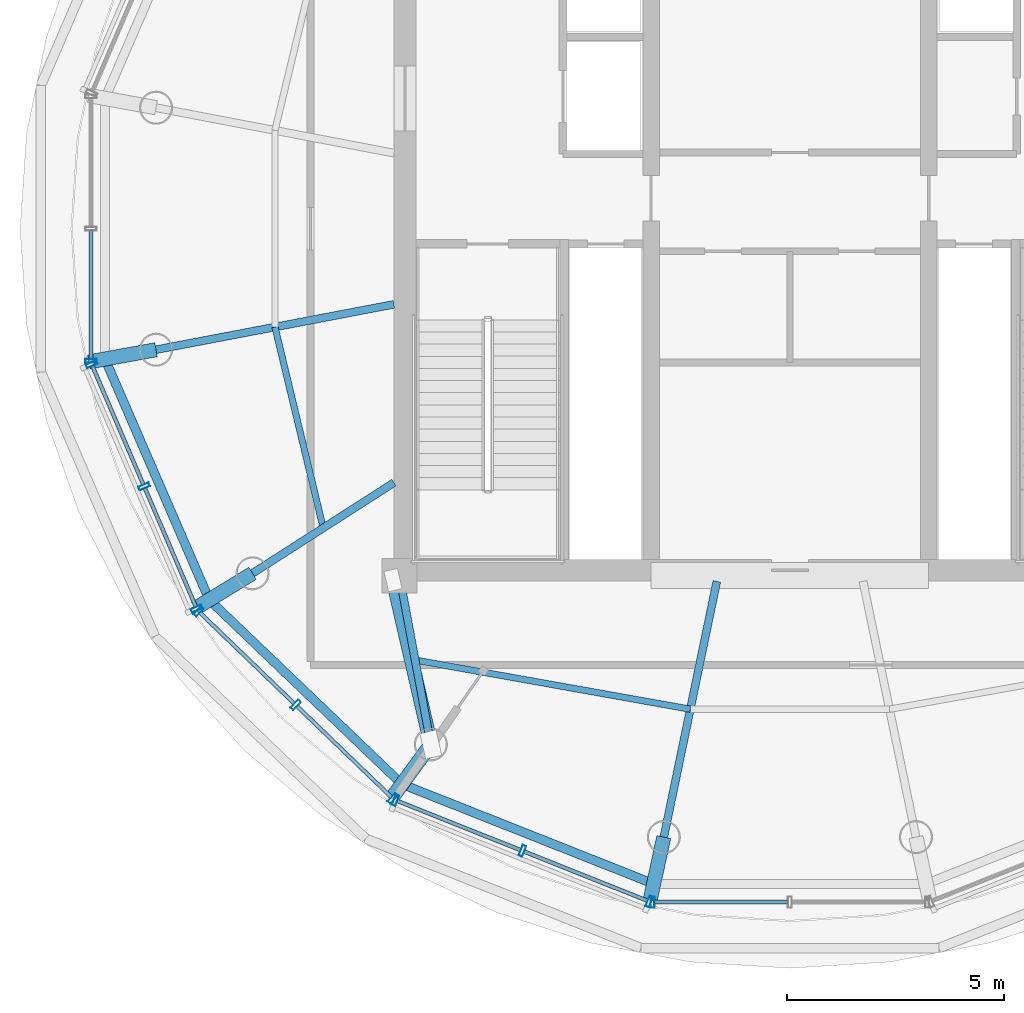
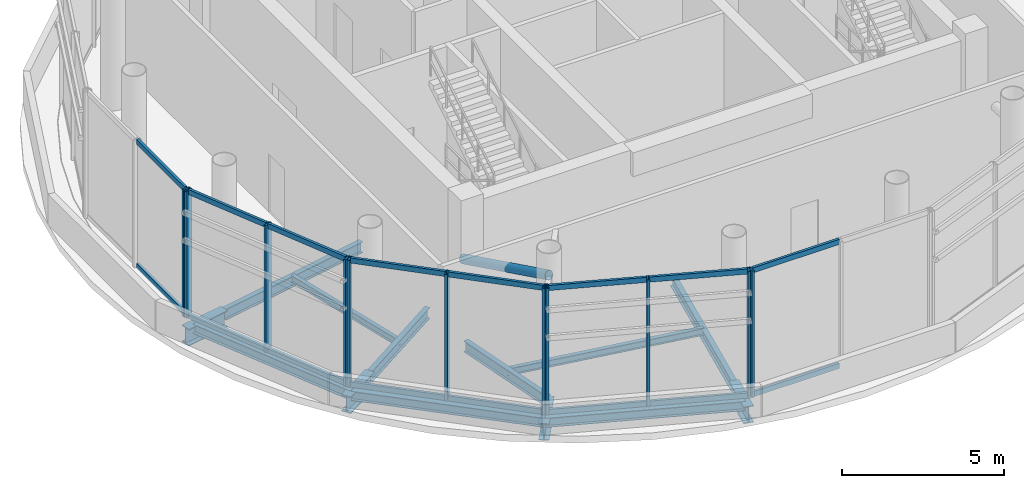
# One storey, part 2 of 14: 28 members, 13 beams, 5 elements without a shape of their own.
"""IFC4 building model written with IfcOpenShell, lengths in metres."""

from ifc_helpers import new_model, si_unit, direction, frame, origin, origin_2d, place, context, subcontext, project, spatial, hollow_rectangle, hollow_circle, i_section, extrude, source, transform, mapped, material, material_profile, profile_set, type_object, element, aggregate, save


model = new_model("IFC4")

# Units and contexts
model_context = context("Model", 3, precision=1e-05, world=origin(), true_north=direction((-0.2419218956, 0.970295726276)))
body_context = subcontext(model_context, "Body", "Model", "MODEL_VIEW")
ifc_project = project(units=[si_unit("LENGTHUNIT", "METRE"), si_unit("AREAUNIT", "SQUARE_METRE"), si_unit("VOLUMEUNIT", "CUBIC_METRE"), si_unit("PLANEANGLEUNIT", "RADIAN"), si_unit("MASSUNIT", "GRAM", prefix="KILO")], contexts=[model_context])

# Site, building, storey
site_placement = place(None, origin())
site = spatial("IfcSite", under=ifc_project, at=site_placement, CompositionType="ELEMENT")
building_placement = place(site_placement, origin())
building = spatial("IfcBuilding", under=site, at=building_placement, Name="Cobrevalo Terracotta Tower", CompositionType="ELEMENT")
storey_placement = place(building_placement, frame((0.0, 0.0, 321.699951171875)))
storey = spatial("IfcBuildingStorey", under=building, at=storey_placement, Name="L83", CompositionType="ELEMENT", Elevation=321.699951171875)

# Beams
ifc_material_1 = material(Name="Steel S355", Category="steel")
ifc_material_profile_1 = material_profile(ifc_material_1, i_section(OverallWidth=0.179931640625, OverallDepth=0.4130859375, WebThickness=0.009765625, FlangeThickness=0.01611328125, at=origin_2d()), Name="W 410x75")
ifc_profile_set_1 = profile_set([ifc_material_profile_1], Name="Steel S355")
beam_type_1 = type_object("IfcBeamType", Name="Structural Beam W 410x75 (Steel S355)", PredefinedType="BEAM", material=ifc_profile_set_1)
beam_1_placement = place(storey_placement, frame((23.38623046875, 24.01025390625, -0.62646484375), z_axis=(0.982261932892, 0.187513986655, 0.0), x_axis=(-0.187513986655, 0.982261932892, 0.0)))
element("IfcBeam", 1, at=beam_1_placement, inside=storey, type_object=beam_type_1, Name="L83 radial floor girder 09", PredefinedType="BEAM", context=body_context, shape_type="SweptSolid", body=[
    extrude(i_section(OverallWidth=0.179931640625, OverallDepth=0.4130859375, WebThickness=0.009765625, FlangeThickness=0.01611328125, at=origin_2d()), origin(), (0.0, 0.0, 1.0), 5.5830078125),
])
beam_2_placement = place(storey_placement, frame((25.611083984375, 18.855224609375, -0.62646484375), z_axis=(0.841794646381, 0.539797900444, 0.0), x_axis=(-0.539797900444, 0.841794646381, 0.0)))
element("IfcBeam", 2, at=beam_2_placement, inside=storey, type_object=beam_type_1, Name="L83 radial floor girder 10", PredefinedType="BEAM", context=body_context, shape_type="SweptSolid", body=[
    extrude(i_section(OverallWidth=0.179931640625, OverallDepth=0.4130859375, WebThickness=0.009765625, FlangeThickness=0.01611328125, at=origin_2d()), origin(), (0.0, 0.0, 1.0), 3.87158203125),
])
beam_3_placement = place(storey_placement, frame((29.721923828125, 14.909912109375, -0.62646484375), z_axis=(-0.182462670706, 0.983212781548, 0.0), x_axis=(-0.983212781548, -0.182462670706, 0.0)))
element("IfcBeam", 3, at=beam_3_placement, inside=storey, type_object=beam_type_1, Name="L83 radial floor girder 11", PredefinedType="BEAM", context=body_context, shape_type="SweptSolid", body=[
    extrude(i_section(OverallWidth=0.179931640625, OverallDepth=0.4130859375, WebThickness=0.009765625, FlangeThickness=0.01611328125, at=origin_2d()), origin(), (0.0, 0.0, 1.0), 3.95654296875),
])
beam_4_placement = place(storey_placement, frame((35.09326171875, 12.774658203125, -0.62646484375), z_axis=(0.202919370173, 0.979195449953, 0.0), x_axis=(-0.979195449953, 0.202919370173, 0.0)))
element("IfcBeam", 4, at=beam_4_placement, inside=storey, type_object=beam_type_1, Name="L83 radial floor girder 12", PredefinedType="BEAM", context=body_context, shape_type="SweptSolid", body=[
    extrude(i_section(OverallWidth=0.179931640625, OverallDepth=0.4130859375, WebThickness=0.009765625, FlangeThickness=0.01611328125, at=origin_2d()), origin(), (0.0, 0.0, 1.0), 6.0205078125),
])
ifc_material_profile_2 = material_profile(ifc_material_1, i_section(OverallWidth=0.3291015625, OverallDepth=0.635009765625, WebThickness=0.017822265625, FlangeThickness=0.031005859375, at=origin_2d()), Name="W 610x241")
ifc_profile_set_2 = profile_set([ifc_material_profile_2], Name="Steel S355")
beam_type_2 = type_object("IfcBeamType", Name="Structural Beam W 610x241 (Steel S355)", PredefinedType="BEAM", material=ifc_profile_set_2)
beam_5_placement = place(storey_placement, frame((21.83544921875, 23.7275390625, -0.737548828125), z_axis=(0.983785547298, 0.179348813566, 0.0), x_axis=(-0.179348813566, 0.983785547298, 0.0)))
element("IfcBeam", 5, at=beam_5_placement, inside=storey, type_object=beam_type_2, Name="L83 setback step-link girder 09", PredefinedType="BEAM", context=body_context, shape_type="SweptSolid", body=[
    extrude(i_section(OverallWidth=0.3291015625, OverallDepth=0.635009765625, WebThickness=0.017822265625, FlangeThickness=0.031005859375, at=origin_2d()), origin(), (0.0, 0.0, 1.0), 1.576416015625),
])
beam_6_placement = place(storey_placement, frame((24.289306640625, 18.045654296875, -0.737548828125), z_axis=(0.852759676471, 0.522303488581, 0.0), x_axis=(-0.522303488581, 0.852759676471, 0.0)))
element("IfcBeam", 6, at=beam_6_placement, inside=storey, type_object=beam_type_2, Name="L83 setback step-link girder 10", PredefinedType="BEAM", context=body_context, shape_type="SweptSolid", body=[
    extrude(i_section(OverallWidth=0.3291015625, OverallDepth=0.635009765625, WebThickness=0.017822265625, FlangeThickness=0.031005859375, at=origin_2d()), origin(), (0.0, 0.0, 1.0), 1.550048828125),
])
beam_7_placement = place(storey_placement, frame((28.83154296875, 13.688232421875, -0.737548828125), z_axis=(0.588987623861, 0.808142053688, 0.0), x_axis=(-0.808142053688, 0.588987623861, 0.0)))
element("IfcBeam", 7, at=beam_7_placement, inside=storey, type_object=beam_type_2, Name="L83 setback step-link girder 11", PredefinedType="BEAM", context=body_context, shape_type="SweptSolid", body=[
    extrude(i_section(OverallWidth=0.3291015625, OverallDepth=0.635009765625, WebThickness=0.017822265625, FlangeThickness=0.031005859375, at=origin_2d()), origin(), (0.0, 0.0, 1.0), 1.51171875),
])
beam_8_placement = place(storey_placement, frame((34.778564453125, 11.324462890625, -0.737548828125), z_axis=(0.212067624066, 0.977254993757, 0.0), x_axis=(-0.977254993757, 0.212067624066, 0.0)))
element("IfcBeam", 8, at=beam_8_placement, inside=storey, type_object=beam_type_2, Name="L83 setback step-link girder 12", PredefinedType="BEAM", context=body_context, shape_type="SweptSolid", body=[
    extrude(i_section(OverallWidth=0.3291015625, OverallDepth=0.635009765625, WebThickness=0.017822265625, FlangeThickness=0.031005859375, at=origin_2d()), origin(), (0.0, 0.0, 1.0), 1.48388671875),
])
ifc_material_profile_3 = material_profile(ifc_material_1, i_section(OverallWidth=0.14794921875, OverallDepth=0.26611328125, WebThickness=0.007568359375, FlangeThickness=0.012939453125, at=origin_2d()), Name="W 250x44.8")
ifc_profile_set_3 = profile_set([ifc_material_profile_3], Name="Steel S355")
beam_type_3 = type_object("IfcBeamType", Name="Structural Joist W 250x44.8 (Steel S355)", PredefinedType="JOIST", material=ifc_profile_set_3)
beam_9_placement = place(storey_placement, frame((26.128173828125, 24.53369140625, -0.552978515625), z_axis=(0.233423333819, -0.972375209078, 0.0), x_axis=(0.972375209078, 0.233423333819, 0.0)))
element("IfcBeam", 9, at=beam_9_placement, inside=storey, type_object=beam_type_3, Name="L83 circumferential secondary floor joist 09", PredefinedType="JOIST", context=body_context, shape_type="SweptSolid", body=[
    extrude(i_section(OverallWidth=0.14794921875, OverallDepth=0.26611328125, WebThickness=0.007568359375, FlangeThickness=0.012939453125, at=origin_2d()), origin(), (0.0, 0.0, 1.0), 4.76513671875),
])
beam_10_placement = place(storey_placement, frame((29.361083984375, 16.85498046875, -0.552978515625), z_axis=(0.984430619707, -0.175773590117, 0.0), x_axis=(0.175773590117, 0.984430619707, 0.0)))
element("IfcBeam", 10, at=beam_10_placement, inside=storey, type_object=beam_type_3, Name="L83 circumferential secondary floor joist 11", PredefinedType="JOIST", context=body_context, shape_type="SweptSolid", body=[
    extrude(i_section(OverallWidth=0.14794921875, OverallDepth=0.26611328125, WebThickness=0.007568359375, FlangeThickness=0.012939453125, at=origin_2d()), origin(), (0.0, 0.0, 1.0), 6.443359375),
])
ifc_material_profile_4 = material_profile(ifc_material_1, i_section(OverallWidth=0.205078125, OverallDepth=0.35400390625, WebThickness=0.009521484375, FlangeThickness=0.016845703125, at=origin_2d()), Name="W 360x79")
ifc_profile_set_4 = profile_set([ifc_material_profile_4], Name="Steel S355")
beam_type_4 = type_object("IfcBeamType", Name="Structural Spandrel W 360x79 (Steel S355)", PredefinedType="SPANDREL", material=ifc_profile_set_4)
beam_11_placement = place(storey_placement, frame((22.20947265625, 23.795654296875, -0.596923828125), z_axis=(0.397350333227, -0.91766699444, 0.0), x_axis=(0.91766699444, 0.397350333227, 0.0)))
element("IfcBeam", 11, at=beam_11_placement, inside=storey, type_object=beam_type_4, Name="L83 perimeter ring spandrel 09", PredefinedType="SPANDREL", context=body_context, shape_type="SweptSolid", body=[
    extrude(i_section(OverallWidth=0.205078125, OverallDepth=0.35400390625, WebThickness=0.009521484375, FlangeThickness=0.016845703125, at=origin_2d()), origin(), (0.0, 0.0, 1.0), 6.049560546875),
])
beam_12_placement = place(storey_placement, frame((24.61328125, 18.244140625, -0.596923828125), z_axis=(0.722659970904, -0.691203708362, 0.0), x_axis=(0.691203708362, 0.722659970904, 0.0)))
element("IfcBeam", 12, at=beam_12_placement, inside=storey, type_object=beam_type_4, Name="L83 perimeter ring spandrel 10", PredefinedType="SPANDREL", context=body_context, shape_type="SweptSolid", body=[
    extrude(i_section(OverallWidth=0.205078125, OverallDepth=0.35400390625, WebThickness=0.009521484375, FlangeThickness=0.016845703125, at=origin_2d()), origin(), (0.0, 0.0, 1.0), 6.14697265625),
])
beam_13_placement = place(storey_placement, frame((29.055419921875, 13.995361328125, -0.596923828125), z_axis=(0.929682763959, -0.368361179275, 0.0), x_axis=(0.368361179275, 0.929682763959, 0.0)))
element("IfcBeam", 13, at=beam_13_placement, inside=storey, type_object=beam_type_4, Name="L83 perimeter ring spandrel 11", PredefinedType="SPANDREL", context=body_context, shape_type="SweptSolid", body=[
    extrude(i_section(OverallWidth=0.205078125, OverallDepth=0.35400390625, WebThickness=0.009521484375, FlangeThickness=0.016845703125, at=origin_2d()), origin(), (0.0, 0.0, 1.0), 6.24267578125),
])

# Member
ifc_material_profile_5 = material_profile(ifc_material_1, hollow_circle(Radius=0.162109375, WallThickness=0.013916015625, at=origin_2d()), Name="CHS 324x14")
ifc_profile_set_5 = profile_set([ifc_material_profile_5], Name="Steel S355")
member_type_1 = type_object("IfcMemberType", Name="Steel Brace CHS 324x14 (Steel S355)", PredefinedType="BRACE", material=ifc_profile_set_5)
shared_shape_1 = source(origin(), body_context, "Body", "SweptSolid", [
    extrude(hollow_circle(Radius=0.162109375, WallThickness=0.013916015625, at=origin_2d()), origin(), (0.0, 0.0, 1.0), 4.126708984375),
])
member_1_placement = place(storey_placement, frame((28.85009765625, 18.699951171875, 2.75), z_axis=(0.211267372013, -0.918430322917, 0.334442580227), x_axis=(0.974548603832, 0.224176311794, 0.0)))
element("IfcMember", 14, at=member_1_placement, inside=storey, type_object=member_type_1, Name="L83 CROWN FRAME radial brace 03", PredefinedType="BRACE", context=body_context, shape_type="MappedRepresentation", body=[
    mapped(shared_shape_1, transform((0.0, 0.0, 0.0), scale=1.0)),
])

# Curtain wall, member
ifc_material_2 = material(Name="Anodized aluminium", Category="aluminium")
curtain_wall_type = type_object("IfcCurtainWallType", Name="Faceted glass-point crown structural glazing system CW-CR", PredefinedType="NOTDEFINED", material=ifc_material_2)
curtain_wall_1_placement = place(storey_placement, origin())
curtain_wall_1 = element("IfcCurtainWall", 15, at=curtain_wall_1_placement, inside=storey, type_object=curtain_wall_type, Name="L83 curtain wall CW-CRN-L83-S08", PredefinedType="NOTDEFINED")
ifc_material_profile_6 = material_profile(ifc_material_2, hollow_rectangle(XDim=0.090087890625, YDim=0.260009765625, WallThickness=0.006103515625, at=origin_2d()), Name="CWM 90x260")
ifc_profile_set_6 = profile_set([ifc_material_profile_6], Name="Anodized aluminium")
member_type_2 = type_object("IfcMemberType", Name="Crown structural glass mullion 90x260", PredefinedType="MULLION", material=ifc_profile_set_6)
shared_shape_2 = source(origin(), body_context, "Body", "SweptSolid", [
    extrude(hollow_rectangle(XDim=0.090087890625, YDim=0.260009765625, WallThickness=0.006103515625, at=origin_2d()), origin(), (0.0, 0.0, 1.0), 4.780029296875),
])
member_2_placement = place(storey_placement, frame((21.8857421875, 23.751708984375, 0.0), z_axis=(0.0, 0.0, 1.0), x_axis=(0.0, -1.0, 0.0)))
member_2 = element("IfcMember", 16, at=member_2_placement, type_object=member_type_2, Name="CW-CRN-L83-S08 vertical mullion 03", PredefinedType="MULLION", context=body_context, shape_type="MappedRepresentation", body=[
    mapped(shared_shape_2, transform((0.0, 0.0, 0.0), scale=1.0)),
])

# Curtain wall, members
curtain_wall_2_placement = place(storey_placement, origin())
curtain_wall_2 = element("IfcCurtainWall", 17, at=curtain_wall_2_placement, inside=storey, type_object=curtain_wall_type, Name="L83 curtain wall CW-CRN-L83-S09", PredefinedType="NOTDEFINED")
member_3_placement = place(storey_placement, frame((21.901611328125, 23.675048828125, 0.0), z_axis=(0.0, 0.0, 1.0), x_axis=(0.394968347643, -0.918694728602, 0.0)))
member_3 = element("IfcMember", 18, at=member_3_placement, type_object=member_type_2, Name="CW-CRN-L83-S09 vertical mullion 01", PredefinedType="MULLION", context=body_context, shape_type="MappedRepresentation", body=[
    mapped(shared_shape_2, transform((0.0, 0.0, 0.0), scale=1.0)),
])
member_4_placement = place(storey_placement, frame((23.1123046875, 20.858642578125, 0.0), z_axis=(0.0, 0.0, 1.0), x_axis=(0.394968347643, -0.918694728602, 0.0)))
member_4 = element("IfcMember", 19, at=member_4_placement, type_object=member_type_2, Name="CW-CRN-L83-S09 vertical mullion 02", PredefinedType="MULLION", context=body_context, shape_type="MappedRepresentation", body=[
    mapped(shared_shape_2, transform((0.0, 0.0, 0.0), scale=1.0)),
])
member_5_placement = place(storey_placement, frame((24.3232421875, 18.0419921875, 0.0), z_axis=(0.0, 0.0, 1.0), x_axis=(0.394968347643, -0.918694728602, 0.0)))
member_5 = element("IfcMember", 20, at=member_5_placement, type_object=member_type_2, Name="CW-CRN-L83-S09 vertical mullion 03", PredefinedType="MULLION", context=body_context, shape_type="MappedRepresentation", body=[
    mapped(shared_shape_2, transform((0.0, 0.0, 0.0), scale=1.0)),
])

curtain_wall_3_placement = place(storey_placement, origin())
curtain_wall_3 = element("IfcCurtainWall", 21, at=curtain_wall_3_placement, inside=storey, type_object=curtain_wall_type, Name="L83 curtain wall CW-CRN-L83-S10", PredefinedType="NOTDEFINED")
member_6_placement = place(storey_placement, frame((24.36767578125, 17.9775390625, 0.0), z_axis=(0.0, 0.0, 1.0), x_axis=(0.72013951191, -0.693829289801, 0.0)))
member_6 = element("IfcMember", 22, at=member_6_placement, type_object=member_type_2, Name="CW-CRN-L83-S10 vertical mullion 01", PredefinedType="MULLION", context=body_context, shape_type="MappedRepresentation", body=[
    mapped(shared_shape_2, transform((0.0, 0.0, 0.0), scale=1.0)),
])
member_7_placement = place(storey_placement, frame((26.60546875, 15.821533203125, 0.0), z_axis=(0.0, 0.0, 1.0), x_axis=(0.72013951191, -0.693829289801, 0.0)))
member_7 = element("IfcMember", 23, at=member_7_placement, type_object=member_type_2, Name="CW-CRN-L83-S10 vertical mullion 02", PredefinedType="MULLION", context=body_context, shape_type="MappedRepresentation", body=[
    mapped(shared_shape_2, transform((0.0, 0.0, 0.0), scale=1.0)),
])
member_8_placement = place(storey_placement, frame((28.84326171875, 13.66552734375, 0.0), z_axis=(0.0, 0.0, 1.0), x_axis=(0.72013951191, -0.693829289801, 0.0)))
member_8 = element("IfcMember", 24, at=member_8_placement, type_object=member_type_2, Name="CW-CRN-L83-S10 vertical mullion 03", PredefinedType="MULLION", context=body_context, shape_type="MappedRepresentation", body=[
    mapped(shared_shape_2, transform((0.0, 0.0, 0.0), scale=1.0)),
])

curtain_wall_4_placement = place(storey_placement, origin())
curtain_wall_4 = element("IfcCurtainWall", 25, at=curtain_wall_4_placement, inside=storey, type_object=curtain_wall_type, Name="L83 curtain wall CW-CRN-L83-S11", PredefinedType="NOTDEFINED")
member_9_placement = place(storey_placement, frame((28.9091796875, 13.623046875, 0.0), z_axis=(0.0, 0.0, 1.0), x_axis=(0.928770743095, -0.370654700187, 0.0)))
member_9 = element("IfcMember", 26, at=member_9_placement, type_object=member_type_2, Name="CW-CRN-L83-S11 vertical mullion 01", PredefinedType="MULLION", context=body_context, shape_type="MappedRepresentation", body=[
    mapped(shared_shape_2, transform((0.0, 0.0, 0.0), scale=1.0)),
])
member_10_placement = place(storey_placement, frame((31.833251953125, 12.4560546875, 0.0), z_axis=(0.0, 0.0, 1.0), x_axis=(0.928770743095, -0.370654700187, 0.0)))
member_10 = element("IfcMember", 27, at=member_10_placement, type_object=member_type_2, Name="CW-CRN-L83-S11 vertical mullion 02", PredefinedType="MULLION", context=body_context, shape_type="MappedRepresentation", body=[
    mapped(shared_shape_2, transform((0.0, 0.0, 0.0), scale=1.0)),
])
member_11_placement = place(storey_placement, frame((34.757568359375, 11.2890625, 0.0), z_axis=(0.0, 0.0, 1.0), x_axis=(0.928770743095, -0.370654700187, 0.0)))
member_11 = element("IfcMember", 28, at=member_11_placement, type_object=member_type_2, Name="CW-CRN-L83-S11 vertical mullion 03", PredefinedType="MULLION", context=body_context, shape_type="MappedRepresentation", body=[
    mapped(shared_shape_2, transform((0.0, 0.0, 0.0), scale=1.0)),
])

# Curtain wall, member
curtain_wall_5_placement = place(storey_placement, origin())
curtain_wall_5 = element("IfcCurtainWall", 29, at=curtain_wall_5_placement, inside=storey, type_object=curtain_wall_type, Name="L83 curtain wall CW-CRN-L83-S12", PredefinedType="NOTDEFINED")
member_12_placement = place(storey_placement, frame((34.834716796875, 11.274169921875, 0.0), z_axis=(0.0, 0.0, 1.0), x_axis=(1.0, 0.0, 0.0)))
member_12 = element("IfcMember", 30, at=member_12_placement, type_object=member_type_2, Name="CW-CRN-L83-S12 vertical mullion 01", PredefinedType="MULLION", context=body_context, shape_type="MappedRepresentation", body=[
    mapped(shared_shape_2, transform((0.0, 0.0, 0.0), scale=1.0)),
])

# Member
ifc_material_profile_7 = material_profile(ifc_material_2, hollow_rectangle(XDim=0.090087890625, YDim=0.195068359375, WallThickness=0.005615234375, at=origin_2d()), Name="CWT 90x195")
ifc_profile_set_7 = profile_set([ifc_material_profile_7], Name="Anodized aluminium")
member_type_3 = type_object("IfcMemberType", Name="Crown structural aluminium transom 90x195", PredefinedType="USERDEFINED", material=ifc_profile_set_7)
shared_shape_3 = source(origin(), body_context, "Body", "SweptSolid", [
    extrude(hollow_rectangle(XDim=0.090087890625, YDim=0.195068359375, WallThickness=0.005615234375, at=origin_2d()), origin(), (0.0, 0.0, 1.0), 2.985595703125),
])
member_13_placement = place(storey_placement, frame((21.917236328125, 23.63818359375, 0.050048828125), z_axis=(0.39495528775, -0.918700343245, 0.0), x_axis=(0.918700343245, 0.39495528775, 0.0)))
member_13 = element("IfcMember", 31, at=member_13_placement, type_object=member_type_3, Name="CW-CRN-L83-S09 transom B01-T1", ObjectType="TRANSOM", PredefinedType="USERDEFINED", context=body_context, shape_type="MappedRepresentation", body=[
    mapped(shared_shape_3, transform((0.0, 0.0, 0.0), scale=1.0)),
])

member_14_placement = place(storey_placement, frame((21.917236328125, 23.63818359375, 4.72998046875), z_axis=(0.39495528775, -0.918700343245, 0.0), x_axis=(0.918700343245, 0.39495528775, 0.0)))
member_14 = element("IfcMember", 32, at=member_14_placement, type_object=member_type_3, Name="CW-CRN-L83-S09 transom B01-T2", ObjectType="TRANSOM", PredefinedType="USERDEFINED", context=body_context, shape_type="MappedRepresentation", body=[
    mapped(shared_shape_3, transform((0.0, 0.0, 0.0), scale=1.0)),
])

member_15_placement = place(storey_placement, frame((23.128173828125, 20.82177734375, 0.050048828125), z_axis=(0.39495528775, -0.918700343245, 0.0), x_axis=(0.918700343245, 0.39495528775, 0.0)))
member_15 = element("IfcMember", 33, at=member_15_placement, type_object=member_type_3, Name="CW-CRN-L83-S09 transom B02-T1", ObjectType="TRANSOM", PredefinedType="USERDEFINED", context=body_context, shape_type="MappedRepresentation", body=[
    mapped(shared_shape_3, transform((0.0, 0.0, 0.0), scale=1.0)),
])

member_16_placement = place(storey_placement, frame((23.128173828125, 20.82177734375, 4.72998046875), z_axis=(0.39495528775, -0.918700343245, 0.0), x_axis=(0.918700343245, 0.39495528775, 0.0)))
member_16 = element("IfcMember", 34, at=member_16_placement, type_object=member_type_3, Name="CW-CRN-L83-S09 transom B02-T2", ObjectType="TRANSOM", PredefinedType="USERDEFINED", context=body_context, shape_type="MappedRepresentation", body=[
    mapped(shared_shape_3, transform((0.0, 0.0, 0.0), scale=1.0)),
])

aggregate(curtain_wall_2, [member_3, member_4, member_5, member_13, member_14, member_15, member_16])

shared_shape_4 = source(origin(), body_context, "Body", "SweptSolid", [
    extrude(hollow_rectangle(XDim=0.090087890625, YDim=0.195068359375, WallThickness=0.005615234375, at=origin_2d()), origin(), (0.0, 0.0, 1.0), 3.027587890625),
])
member_17_placement = place(storey_placement, frame((26.63427734375, 15.7939453125, 0.050048828125), z_axis=(0.720129171854, -0.693840021795, 0.0), x_axis=(0.693840021795, 0.720129171854, 0.0)))
member_17 = element("IfcMember", 35, at=member_17_placement, type_object=member_type_3, Name="CW-CRN-L83-S10 transom B02-T1", ObjectType="TRANSOM", PredefinedType="USERDEFINED", context=body_context, shape_type="MappedRepresentation", body=[
    mapped(shared_shape_4, transform((0.0, 0.0, 0.0), scale=1.0)),
])

member_18_placement = place(storey_placement, frame((26.63427734375, 15.7939453125, 4.72998046875), z_axis=(0.720129171854, -0.693840021795, 0.0), x_axis=(0.693840021795, 0.720129171854, 0.0)))
member_18 = element("IfcMember", 36, at=member_18_placement, type_object=member_type_3, Name="CW-CRN-L83-S10 transom B02-T2", ObjectType="TRANSOM", PredefinedType="USERDEFINED", context=body_context, shape_type="MappedRepresentation", body=[
    mapped(shared_shape_4, transform((0.0, 0.0, 0.0), scale=1.0)),
])

shared_shape_5 = source(origin(), body_context, "Body", "SweptSolid", [
    extrude(hollow_rectangle(XDim=0.090087890625, YDim=0.195068359375, WallThickness=0.005615234375, at=origin_2d()), origin(), (0.0, 0.0, 1.0), 3.068359375),
])
member_19_placement = place(storey_placement, frame((28.9462890625, 13.608154296875, 0.050048828125), z_axis=(0.928783665668, -0.370622317715, 0.0), x_axis=(0.370622317715, 0.928783665668, 0.0)))
member_19 = element("IfcMember", 37, at=member_19_placement, type_object=member_type_3, Name="CW-CRN-L83-S11 transom B01-T1", ObjectType="TRANSOM", PredefinedType="USERDEFINED", context=body_context, shape_type="MappedRepresentation", body=[
    mapped(shared_shape_5, transform((0.0, 0.0, 0.0), scale=1.0)),
])

member_20_placement = place(storey_placement, frame((28.9462890625, 13.608154296875, 4.72998046875), z_axis=(0.928783665668, -0.370622317715, 0.0), x_axis=(0.370622317715, 0.928783665668, 0.0)))
member_20 = element("IfcMember", 38, at=member_20_placement, type_object=member_type_3, Name="CW-CRN-L83-S11 transom B01-T2", ObjectType="TRANSOM", PredefinedType="USERDEFINED", context=body_context, shape_type="MappedRepresentation", body=[
    mapped(shared_shape_5, transform((0.0, 0.0, 0.0), scale=1.0)),
])

shared_shape_6 = source(origin(), body_context, "Body", "SweptSolid", [
    extrude(hollow_rectangle(XDim=0.090087890625, YDim=0.195068359375, WallThickness=0.005615234375, at=origin_2d()), origin(), (0.0, 0.0, 1.0), 3.068603515625),
])
member_21_placement = place(storey_placement, frame((31.870361328125, 12.441162109375, 0.050048828125), z_axis=(0.928767206697, -0.370663561419, 0.0), x_axis=(0.370663561419, 0.928767206697, 0.0)))
member_21 = element("IfcMember", 39, at=member_21_placement, type_object=member_type_3, Name="CW-CRN-L83-S11 transom B02-T1", ObjectType="TRANSOM", PredefinedType="USERDEFINED", context=body_context, shape_type="MappedRepresentation", body=[
    mapped(shared_shape_6, transform((0.0, 0.0, 0.0), scale=1.0)),
])

member_22_placement = place(storey_placement, frame((31.870361328125, 12.441162109375, 4.72998046875), z_axis=(0.928767206697, -0.370663561419, 0.0), x_axis=(0.370663561419, 0.928767206697, 0.0)))
member_22 = element("IfcMember", 40, at=member_22_placement, type_object=member_type_3, Name="CW-CRN-L83-S11 transom B02-T2", ObjectType="TRANSOM", PredefinedType="USERDEFINED", context=body_context, shape_type="MappedRepresentation", body=[
    mapped(shared_shape_6, transform((0.0, 0.0, 0.0), scale=1.0)),
])

aggregate(curtain_wall_4, [member_9, member_10, member_11, member_19, member_20, member_21, member_22])

shared_shape_7 = source(origin(), body_context, "Body", "SweptSolid", [
    extrude(hollow_rectangle(XDim=0.090087890625, YDim=0.195068359375, WallThickness=0.005615234375, at=origin_2d()), origin(), (0.0, 0.0, 1.0), 3.085205078125),
])
member_23_placement = place(storey_placement, frame((34.874755859375, 11.274169921875, 0.050048828125), z_axis=(1.0, 0.0, 0.0), x_axis=(0.0, 1.0, 0.0)))
member_23 = element("IfcMember", 41, at=member_23_placement, type_object=member_type_3, Name="CW-CRN-L83-S12 transom B01-T1", ObjectType="TRANSOM", PredefinedType="USERDEFINED", context=body_context, shape_type="MappedRepresentation", body=[
    mapped(shared_shape_7, transform((0.0, 0.0, 0.0), scale=1.0)),
])

member_24_placement = place(storey_placement, frame((34.874755859375, 11.274169921875, 4.72998046875), z_axis=(1.0, 0.0, 0.0), x_axis=(0.0, 1.0, 0.0)))
member_24 = element("IfcMember", 42, at=member_24_placement, type_object=member_type_3, Name="CW-CRN-L83-S12 transom B01-T2", ObjectType="TRANSOM", PredefinedType="USERDEFINED", context=body_context, shape_type="MappedRepresentation", body=[
    mapped(shared_shape_7, transform((0.0, 0.0, 0.0), scale=1.0)),
])

aggregate(curtain_wall_5, [member_12, member_23, member_24])

shared_shape_8 = source(origin(), body_context, "Body", "SweptSolid", [
    extrude(hollow_rectangle(XDim=0.090087890625, YDim=0.195068359375, WallThickness=0.005615234375, at=origin_2d()), origin(), (0.0, 0.0, 1.0), 2.96826171875),
])
member_25_placement = place(storey_placement, frame((21.8857421875, 26.760009765625, 0.050048828125), z_axis=(0.0, -1.0, 0.0), x_axis=(1.0, 0.0, 0.0)))
member_25 = element("IfcMember", 43, at=member_25_placement, type_object=member_type_3, Name="CW-CRN-L83-S08 transom B02-T1", ObjectType="TRANSOM", PredefinedType="USERDEFINED", context=body_context, shape_type="MappedRepresentation", body=[
    mapped(shared_shape_8, transform((0.0, 0.0, 0.0), scale=1.0)),
])

member_26_placement = place(storey_placement, frame((21.8857421875, 26.760009765625, 4.72998046875), z_axis=(0.0, -1.0, 0.0), x_axis=(1.0, 0.0, 0.0)))
member_26 = element("IfcMember", 44, at=member_26_placement, type_object=member_type_3, Name="CW-CRN-L83-S08 transom B02-T2", ObjectType="TRANSOM", PredefinedType="USERDEFINED", context=body_context, shape_type="MappedRepresentation", body=[
    mapped(shared_shape_8, transform((0.0, 0.0, 0.0), scale=1.0)),
])

aggregate(curtain_wall_1, [member_2, member_25, member_26])

shared_shape_9 = source(origin(), body_context, "Body", "SweptSolid", [
    extrude(hollow_rectangle(XDim=0.090087890625, YDim=0.195068359375, WallThickness=0.005615234375, at=origin_2d()), origin(), (0.0, 0.0, 1.0), 3.02734375),
])
member_27_placement = place(storey_placement, frame((24.396484375, 17.94970703125, 0.050048828125), z_axis=(0.72016946581, -0.693798198697, 0.0), x_axis=(0.693798198697, 0.72016946581, 0.0)))
member_27 = element("IfcMember", 45, at=member_27_placement, type_object=member_type_3, Name="CW-CRN-L83-S10 transom B01-T1", ObjectType="TRANSOM", PredefinedType="USERDEFINED", context=body_context, shape_type="MappedRepresentation", body=[
    mapped(shared_shape_9, transform((0.0, 0.0, 0.0), scale=1.0)),
])

member_28_placement = place(storey_placement, frame((24.396484375, 17.94970703125, 4.72998046875), z_axis=(0.72016946581, -0.693798198697, 0.0), x_axis=(0.693798198697, 0.72016946581, 0.0)))
member_28 = element("IfcMember", 46, at=member_28_placement, type_object=member_type_3, Name="CW-CRN-L83-S10 transom B01-T2", ObjectType="TRANSOM", PredefinedType="USERDEFINED", context=body_context, shape_type="MappedRepresentation", body=[
    mapped(shared_shape_9, transform((0.0, 0.0, 0.0), scale=1.0)),
])

aggregate(curtain_wall_3, [member_6, member_7, member_8, member_27, member_28, member_17, member_18])

save(model, "model.ifc")
